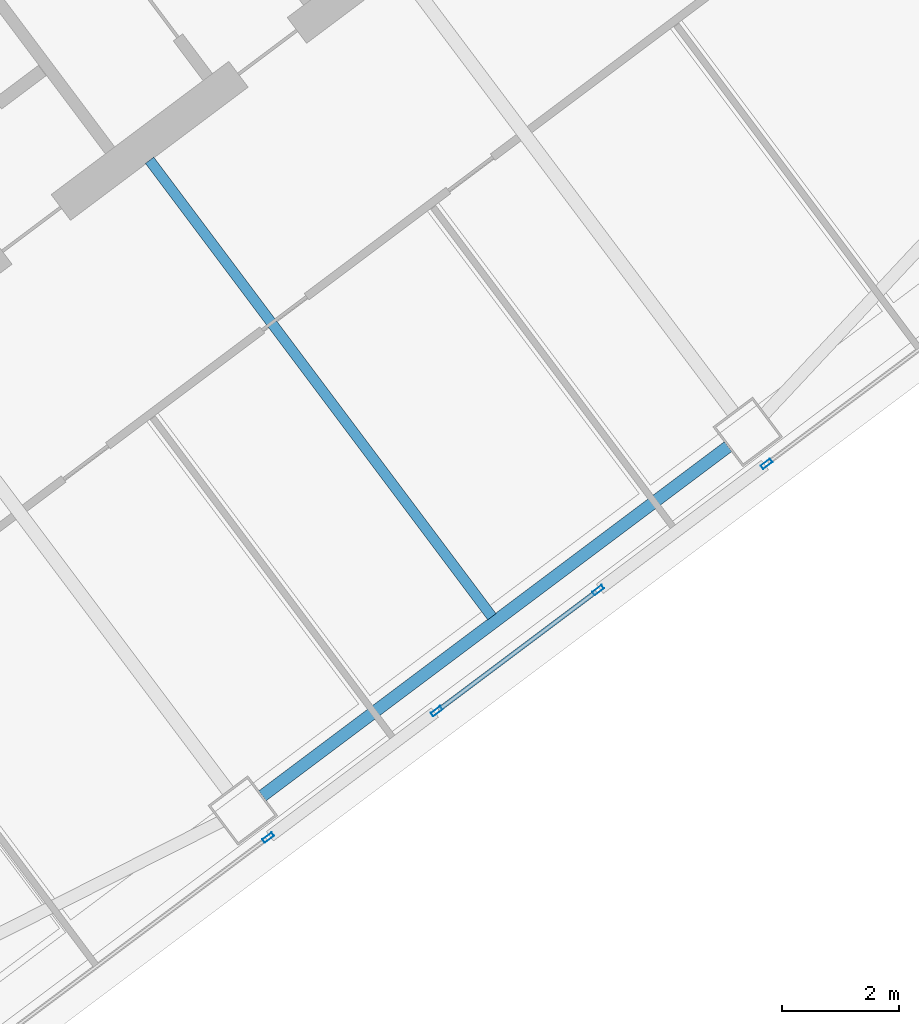
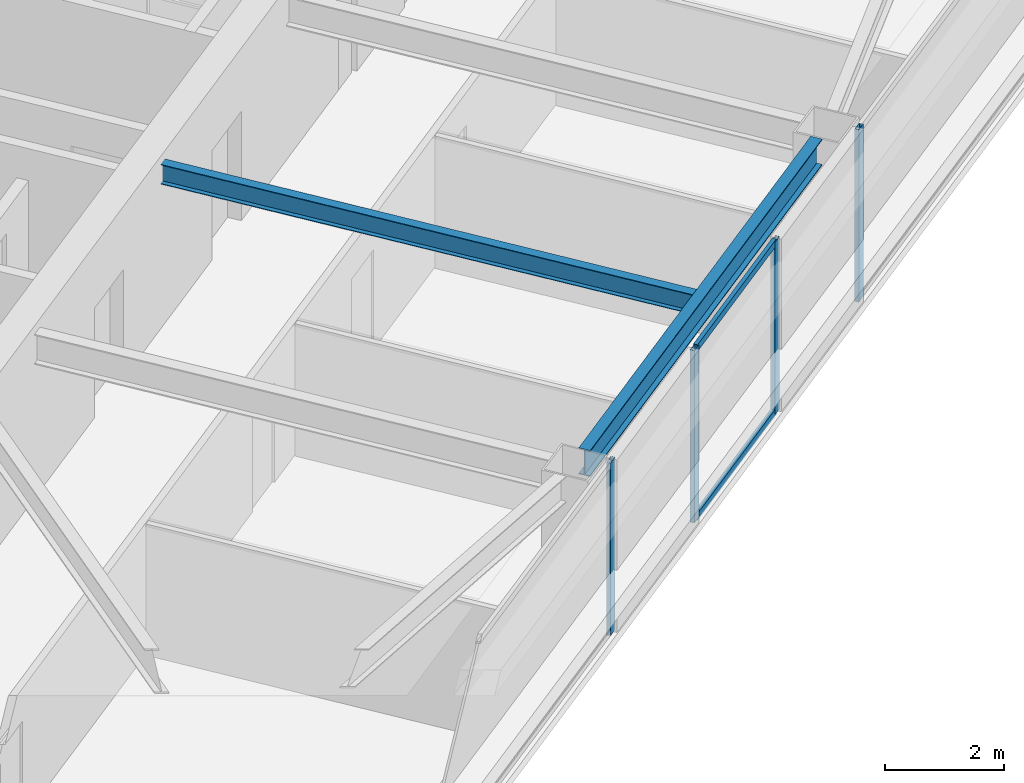
# One storey, part 23 of 42: 6 members, 2 beams, 3 elements without a shape of their own.
"""IFC4 building model written with IfcOpenShell, lengths in metres."""

from ifc_helpers import new_model, si_unit, direction, frame, origin, origin_2d, place, context, subcontext, project, spatial, hollow_rectangle, i_section, extrude, material, material_profile, profile_set, type_object, element, aggregate, save


model = new_model("IFC4")

# Units and contexts
model_context = context("Model", 3, precision=1e-05, world=origin(), true_north=direction((0.0, 1.0)))
body_context = subcontext(model_context, "Body", "Model", "MODEL_VIEW")
ifc_project = project(units=[si_unit("LENGTHUNIT", "METRE"), si_unit("AREAUNIT", "SQUARE_METRE"), si_unit("VOLUMEUNIT", "CUBIC_METRE"), si_unit("PLANEANGLEUNIT", "RADIAN"), si_unit("MASSUNIT", "GRAM", prefix="KILO")], contexts=[model_context])

# Site, building, storey
site_placement = place(None, origin())
site = spatial("IfcSite", under=ifc_project, at=site_placement, CompositionType="ELEMENT")
building_placement = place(site_placement, origin())
building = spatial("IfcBuilding", under=site, at=building_placement, Name="Tashvorn Skyway Center", CompositionType="ELEMENT")
storey_placement = place(building_placement, frame((0.0, 0.0, 121.5)))
storey = spatial("IfcBuildingStorey", under=building, at=storey_placement, Name="L32", CompositionType="ELEMENT", Elevation=121.5)

# Beams
ifc_material_1 = material(Name="Steel ASTM A992 Grade 50", Category="steel")
ifc_material_profile_1 = material_profile(ifc_material_1, i_section(OverallWidth=0.177978515625, OverallDepth=0.406005859375, WebThickness=0.0078125, FlangeThickness=0.0126953125, at=origin_2d()), Name="W16X40")
ifc_profile_set_1 = profile_set([ifc_material_profile_1], Name="Steel ASTM A992 Grade 50")
beam_type_1 = type_object("IfcBeamType", Name="BM-JOIST-W16X40", PredefinedType="JOIST", material=ifc_profile_set_1)
beam_1_placement = place(storey_placement, frame((118.674072265625, 25.76806640625, 3.1669921875), z_axis=(0.599991997409, -0.800006001881, 0.0), x_axis=(0.800006001881, 0.599991997409, 0.0)))
element("IfcBeam", 1, at=beam_1_placement, inside=storey, type_object=beam_type_1, Name="Tower 2 L32 Secondary Composite Joist JS", PredefinedType="JOIST", context=body_context, shape_type="SweptSolid", body=[
    extrude(i_section(OverallWidth=0.177978515625, OverallDepth=0.406005859375, WebThickness=0.0078125, FlangeThickness=0.0126953125, at=origin_2d()), origin(), (0.0, 0.0, 1.0), 9.762451171875),
])
ifc_material_profile_2 = material_profile(ifc_material_1, i_section(OverallWidth=0.2109375, OverallDepth=0.5390625, WebThickness=0.01171875, FlangeThickness=0.018798828125, at=origin_2d()), Name="W21X73")
ifc_profile_set_2 = profile_set([ifc_material_profile_2], Name="Steel ASTM A992 Grade 50")
beam_type_2 = type_object("IfcBeamType", Name="BM-SPANDREL-W21X73", PredefinedType="SPANDREL", material=ifc_profile_set_2)
beam_2_placement = place(storey_placement, frame((120.60595703125, 14.89208984375, 3.1005859375), z_axis=(0.800008824351, 0.599988234018, 0.0), x_axis=(-0.599988234018, 0.800008824351, 0.0)))
element("IfcBeam", 2, at=beam_2_placement, inside=storey, type_object=beam_type_2, Name="Tower 2 L32 Spandrel Beam 02", PredefinedType="SPANDREL", context=body_context, shape_type="SweptSolid", body=[
    extrude(i_section(OverallWidth=0.2109375, OverallDepth=0.5390625, WebThickness=0.01171875, FlangeThickness=0.018798828125, at=origin_2d()), origin(), (0.0, 0.0, 1.0), 9.9599609375),
])

# Curtain wall, member
ifc_material_2 = material(Name="Thermally broken bronze-anodized aluminium 6063-T6", Category="aluminium")
curtain_wall_type = type_object("IfcCurtainWallType", Name="CW-CW-Z3", PredefinedType="NOTDEFINED", material=ifc_material_2)
curtain_wall_1_placement = place(storey_placement, origin())
curtain_wall_1 = element("IfcCurtainWall", 3, at=curtain_wall_1_placement, inside=storey, type_object=curtain_wall_type, Name="Tower 2 L32 South Unitised Curtain Wall Glazing Group 1", PredefinedType="NOTDEFINED")
ifc_material_profile_3 = material_profile(ifc_material_2, hollow_rectangle(XDim=0.074951171875, YDim=0.199951171875, WallThickness=0.00439453125, at=origin_2d()), Name="ALU-MULL-75x200")
ifc_profile_set_3 = profile_set([ifc_material_profile_3], Name="Thermally broken bronze-anodized aluminium 6063-T6")
member_type_1 = type_object("IfcMemberType", Name="CWM-CW-Z3", PredefinedType="MULLION", material=ifc_profile_set_3)
member_1_placement = place(storey_placement, frame((129.232666015625, 20.574462890625, 0.0), z_axis=(0.0, 0.0, 1.0), x_axis=(0.600001511345, -0.799998866489, 0.0)))
member_1 = element("IfcMember", 4, at=member_1_placement, type_object=member_type_1, Name="CW-Z3 mullion 2", PredefinedType="MULLION", context=body_context, shape_type="SweptSolid", body=[
    extrude(hollow_rectangle(XDim=0.074951171875, YDim=0.199951171875, WallThickness=0.00439453125, at=origin_2d()), origin(), (0.0, 0.0, 1.0), 3.550048828125),
])
aggregate(curtain_wall_1, [member_1])

# Curtain wall, members
curtain_wall_2_placement = place(storey_placement, origin())
curtain_wall_2 = element("IfcCurtainWall", 5, at=curtain_wall_2_placement, inside=storey, type_object=curtain_wall_type, Name="Tower 2 L32 South Unitised Curtain Wall Glazing Group 2", PredefinedType="NOTDEFINED")
member_2_placement = place(storey_placement, frame((126.349609375, 18.412109375, 0.0), z_axis=(0.0, 0.0, 1.0), x_axis=(0.600000000002, -0.799999999998, 0.0)))
member_2 = element("IfcMember", 6, at=member_2_placement, type_object=member_type_1, Name="CW-Z3 mullion 1", PredefinedType="MULLION", context=body_context, shape_type="SweptSolid", body=[
    extrude(hollow_rectangle(XDim=0.074951171875, YDim=0.199951171875, WallThickness=0.00439453125, at=origin_2d()), origin(), (0.0, 0.0, 1.0), 3.550048828125),
])
member_3_placement = place(storey_placement, frame((123.58642578125, 16.33984375, 0.0), z_axis=(0.0, 0.0, 1.0), x_axis=(0.600000000002, -0.799999999998, 0.0)))
member_3 = element("IfcMember", 7, at=member_3_placement, type_object=member_type_1, Name="CW-Z3 mullion 2", PredefinedType="MULLION", context=body_context, shape_type="SweptSolid", body=[
    extrude(hollow_rectangle(XDim=0.074951171875, YDim=0.199951171875, WallThickness=0.00439453125, at=origin_2d()), origin(), (0.0, 0.0, 1.0), 3.550048828125),
])

# Curtain wall, member
curtain_wall_3_placement = place(storey_placement, origin())
curtain_wall_3 = element("IfcCurtainWall", 8, at=curtain_wall_3_placement, inside=storey, type_object=curtain_wall_type, Name="Tower 2 L32 South Unitised Curtain Wall Glazing Group 3", PredefinedType="NOTDEFINED")
member_4_placement = place(storey_placement, frame((120.703369140625, 14.177490234375, 0.0), z_axis=(0.0, 0.0, 1.0), x_axis=(0.600001511345, -0.799998866489, 0.0)))
member_4 = element("IfcMember", 9, at=member_4_placement, type_object=member_type_1, Name="CW-Z3 mullion 1", PredefinedType="MULLION", context=body_context, shape_type="SweptSolid", body=[
    extrude(hollow_rectangle(XDim=0.074951171875, YDim=0.199951171875, WallThickness=0.00439453125, at=origin_2d()), origin(), (0.0, 0.0, 1.0), 3.550048828125),
])
aggregate(curtain_wall_3, [member_4])

# Member
ifc_material_profile_4 = material_profile(ifc_material_2, hollow_rectangle(XDim=0.074951171875, YDim=0.139892578125, WallThickness=0.004150390625, at=origin_2d()), Name="ALU-TRAN-75x140")
ifc_profile_set_4 = profile_set([ifc_material_profile_4], Name="Thermally broken bronze-anodized aluminium 6063-T6")
member_type_2 = type_object("IfcMemberType", Name="CWT-CW-Z3", PredefinedType="USERDEFINED", material=ifc_profile_set_4)
member_5_placement = place(storey_placement, frame((126.319580078125, 18.3896484375, 0.03759765625), z_axis=(-0.8, -0.6, 0.0), x_axis=(0.6, -0.8, 0.0)))
member_5 = element("IfcMember", 10, at=member_5_placement, type_object=member_type_2, Name="CW-Z3 transom 1.1", ObjectType="TRANSOM", PredefinedType="USERDEFINED", context=body_context, shape_type="SweptSolid", body=[
    extrude(hollow_rectangle(XDim=0.074951171875, YDim=0.139892578125, WallThickness=0.004150390625, at=origin_2d()), origin(), (0.0, 0.0, 1.0), 3.37890625),
])

member_6_placement = place(storey_placement, frame((126.319580078125, 18.3896484375, 3.512451171875), z_axis=(-0.8, -0.6, 0.0), x_axis=(0.6, -0.8, 0.0)))
member_6 = element("IfcMember", 11, at=member_6_placement, type_object=member_type_2, Name="CW-Z3 transom 1.2", ObjectType="TRANSOM", PredefinedType="USERDEFINED", context=body_context, shape_type="SweptSolid", body=[
    extrude(hollow_rectangle(XDim=0.074951171875, YDim=0.139892578125, WallThickness=0.004150390625, at=origin_2d()), origin(), (0.0, 0.0, 1.0), 3.37890625),
])

aggregate(curtain_wall_2, [member_2, member_3, member_5, member_6])

save(model, "model.ifc")
